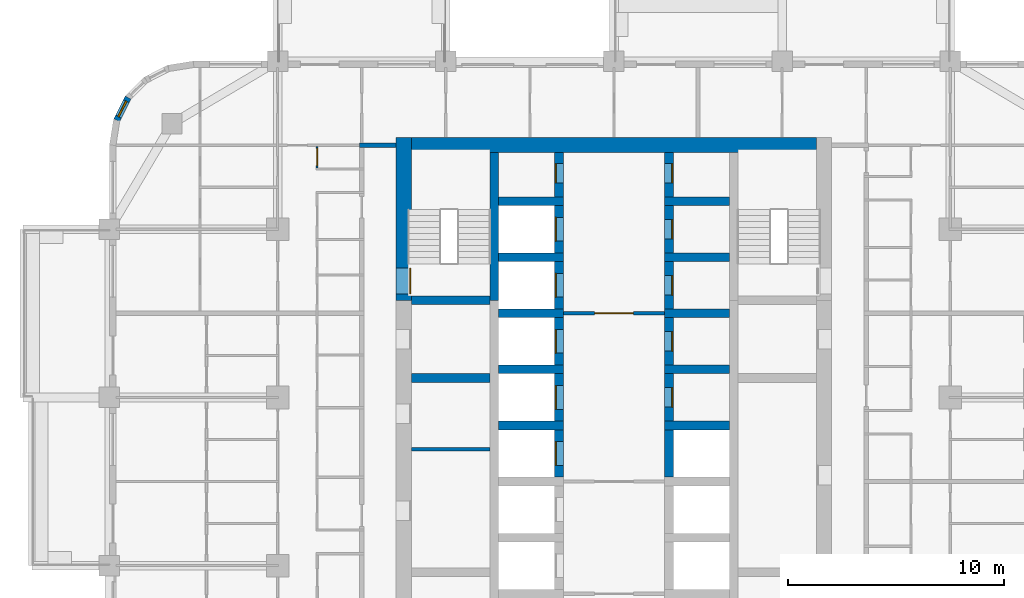
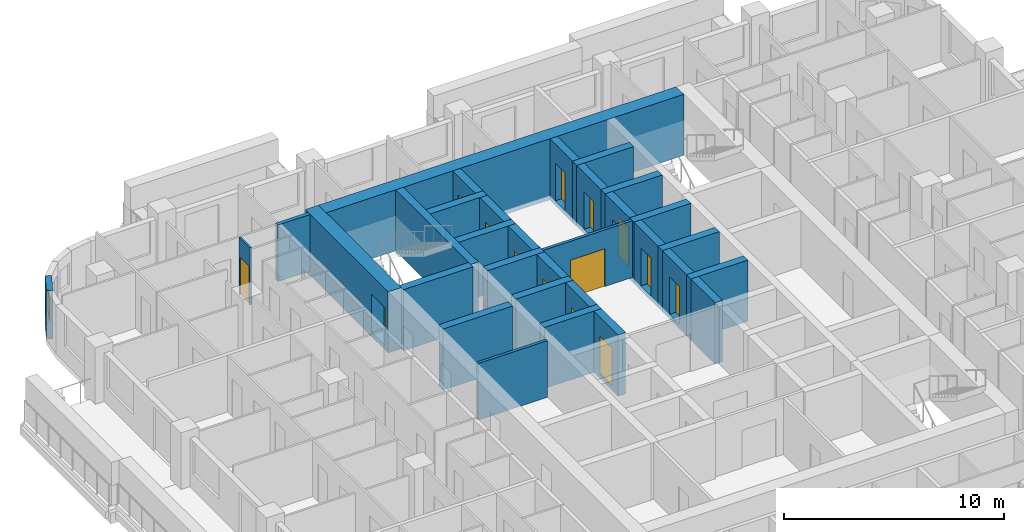
# One storey, part 11 of 18: 32 walls, 14 doors, 1 window, 15 openings.
"""IFC4 building model written with IfcOpenShell, lengths in metres."""

from ifc_helpers import new_model, si_unit, direction, frame, frame_2d, origin, place, context, subcontext, project, spatial, rectangle, extrude, material, layer, layer_set, type_object, element, fill, save


model = new_model("IFC4")

# Units and contexts
model_context = context("Model", 3, precision=1e-05, world=origin(), true_north=direction((0.0, 1.0)))
body_context = subcontext(model_context, "Body", "Model", "MODEL_VIEW")
ifc_project = project(units=[si_unit("LENGTHUNIT", "METRE"), si_unit("AREAUNIT", "SQUARE_METRE"), si_unit("VOLUMEUNIT", "CUBIC_METRE"), si_unit("PLANEANGLEUNIT", "RADIAN"), si_unit("MASSUNIT", "GRAM", prefix="KILO")], contexts=[model_context])

# Site, building, storey
site_placement = place(None, origin())
site = spatial("IfcSite", under=ifc_project, at=site_placement, CompositionType="ELEMENT")
building_placement = place(site_placement, origin())
building = spatial("IfcBuilding", under=site, at=building_placement, Name="Ludao Terraces", CompositionType="ELEMENT")
storey_placement = place(building_placement, frame((0.0, 0.0, 78.39990234375)))
storey = spatial("IfcBuildingStorey", under=building, at=storey_placement, Name="L21", CompositionType="ELEMENT", Elevation=78.39990234375)

# Wall, opening, door
ifc_material_1 = material(Name="Concrete C70", Category="concrete")
ifc_layer_1 = layer(ifc_material_1, 0.699951171875)
ifc_layer_set_1 = layer_set([ifc_layer_1], Name="Core wall 700 C70")
wall_type_1 = type_object("IfcWallType", Name="Core wall 700 C70", PredefinedType="SOLIDWALL", material=ifc_layer_set_1)
wall_1_placement = place(storey_placement, frame((75.25, 77.300048828125, -0.25), z_axis=(0.0, 0.0, 1.0), x_axis=(0.0, 1.0, 0.0)))
wall_1 = element("IfcWall", 1, at=wall_1_placement, inside=storey, type_object=wall_type_1, Name="Core wall L21 outer-W-S1", PredefinedType="SOLIDWALL", context=body_context, shape_type="SweptSolid", body=[
    extrude(rectangle(XDim=7.550048828125, YDim=0.699951171875, at=frame_2d((3.77490234375, 0.0))), origin(), (0.0, 0.0, 1.0), 3.400146484375),
])
opening_1_placement = place(wall_1_placement, frame((0.300048828125, 0.0, 0.25)))
opening_1 = element("IfcOpeningElement", 2, at=opening_1_placement, cuts=wall_1, Name="Opening R06-131", PredefinedType="OPENING", context=body_context, shape_type="SweptSolid", body=[
    extrude(rectangle(XDim=1.199951171875, YDim=2.10009765625, at=frame_2d((0.60009765625, 1.050048828125))), frame((0.0, 0.35986328125, 0.0), z_axis=(0.0, -1.0, 0.0), x_axis=(1.0, 0.0, 0.0)), (0.0, 0.0, 1.0), 0.719970703125),
])
ifc_material_2 = material(Name="Steel Q235", Category="steel")
door_type_1 = type_object("IfcDoorType", Name="INT Stair door 1200", OperationType="DOUBLE_DOOR_SINGLE_SWING", PredefinedType="DOOR", material=ifc_material_2)
door_1_placement = place(opening_1_placement, origin())
door_1 = element("IfcDoor", 3, at=door_1_placement, inside=storey, type_object=door_type_1, Name="DOOR 131", OperationType="DOUBLE_DOOR_SINGLE_SWING", OverallHeight=2.10009765625, OverallWidth=1.199951171875, PredefinedType="DOOR", context=body_context, shape_type="SweptSolid", body=[
    extrude(rectangle(XDim=1.199951171875, YDim=2.10009765625, at=frame_2d((0.60009765625, 1.050048828125))), frame((0.0, -0.28515625, 0.0), z_axis=(0.0, -1.0, 0.0), x_axis=(1.0, 0.0, 0.0)), (0.0, 0.0, 1.0), 0.050048828125),
])
fill(opening_1, door_1)

# Wall
wall_2_placement = place(storey_placement, frame((75.60009765625, 84.5, -0.25), z_axis=(0.0, 0.0, 1.0), x_axis=(1.0, 0.0, 0.0)))
element("IfcWall", 4, at=wall_2_placement, inside=storey, type_object=wall_type_1, Name="Core wall L21 outer-N", PredefinedType="SOLIDWALL", context=body_context, shape_type="SweptSolid", body=[
    extrude(rectangle(XDim=18.7998046875, YDim=0.699951171875, at=frame_2d((9.39990234375, 0.0))), origin(), (0.0, 0.0, 1.0), 3.400146484375),
])

# Wall, opening, window
ifc_material_3 = material(Name="Granite cladding", Category="masonry")
ifc_layer_2 = layer(ifc_material_3, 0.0400390625, Category="stone")
ifc_material_4 = material(Name="Mineral wool")
ifc_layer_3 = layer(ifc_material_4, 0.06005859375)
ifc_material_5 = material(Name="Concrete C40", Category="concrete")
ifc_layer_4 = layer(ifc_material_5, 0.199951171875, Category="concrete")
ifc_layer_set_2 = layer_set([ifc_layer_2, ifc_layer_3, ifc_layer_4], Name="ENV Stone-clad wall 300")
wall_type_2 = type_object("IfcWallType", Name="ENV Stone-clad wall 300", PredefinedType="SOLIDWALL", material=ifc_layer_set_2)
wall_3_placement = place(storey_placement, frame((62.46630859375, 86.7041015625, 0.0), z_axis=(0.0, 0.0, 1.0), x_axis=(-0.454025524128, -0.890988677504, 0.0)))
wall_3 = element("IfcWall", 5, at=wall_3_placement, inside=storey, type_object=wall_type_2, Name="EW-L21-NW4", PredefinedType="SOLIDWALL", context=body_context, shape_type="SweptSolid", body=[
    extrude(rectangle(XDim=1.17333984375, YDim=0.300048828125, at=frame_2d((0.586669921875, 0.0))), origin(), (0.0, 0.0, 1.0), 2.7001953125),
])
opening_2_placement = place(wall_3_placement, frame((0.1865234375, 0.0, 0.89990234375)))
opening_2 = element("IfcOpeningElement", 6, at=opening_2_placement, cuts=wall_3, Name="Opening W3", PredefinedType="OPENING", context=body_context, shape_type="SweptSolid", body=[
    extrude(rectangle(XDim=0.800048828125, YDim=1.199951171875, at=frame_2d((0.39990234375, 0.60009765625))), frame((0.0, 0.16015625, 0.0), z_axis=(0.0, -1.0, 0.0), x_axis=(1.0, 0.0, 0.0)), (0.0, 0.0, 1.0), 0.320068359375),
])
ifc_material_6 = material(Name="Clear glass in aluminium frame", Category="aluminium")
ifc_layer_5 = layer(ifc_material_6, 0.06005859375)
ifc_layer_set_3 = layer_set([ifc_layer_5], Name="ENV Window W3 800x1200")
window_type = type_object("IfcWindowType", Name="ENV Window W3 800x1200", PartitioningType="SINGLE_PANEL", PredefinedType="WINDOW", material=ifc_layer_set_3)
window_placement = place(opening_2_placement, origin())
window = element("IfcWindow", 7, at=window_placement, inside=storey, type_object=window_type, Name="W-L21-NW4", OverallHeight=1.199951171875, OverallWidth=0.800048828125, PartitioningType="SINGLE_PANEL", PredefinedType="WINDOW", context=body_context, shape_type="SweptSolid", body=[
    extrude(rectangle(XDim=0.800048828125, YDim=1.199951171875, at=frame_2d((0.39990234375, 0.60009765625))), frame((0.0, 0.030029296875, 0.0), z_axis=(0.0, -1.0, 0.0), x_axis=(1.0, 0.0, 0.0)), (0.0, 0.0, 1.0), 0.06005859375),
])
fill(opening_2, window)

# Wall
ifc_material_7 = material(Name="Fire-rated gypsum plasterboard", Category="gypsum")
ifc_layer_6 = layer(ifc_material_7, 0.012451171875, Category="gypsum")
ifc_layer_7 = layer(ifc_material_4, 0.10009765625, Name="insulation")
ifc_layer_8 = layer(ifc_material_2, 0.02490234375, Name="stud")
ifc_layer_9 = layer(ifc_material_7, 0.012451171875, Category="gypsum")
ifc_layer_set_4 = layer_set([ifc_layer_6, ifc_layer_7, ifc_layer_8, ifc_layer_9], Name="INT Core partition 150")
wall_type_3 = type_object("IfcWallType", Name="INT Core partition 150", PredefinedType="PARTITIONING", material=ifc_layer_set_4)
wall_4_placement = place(storey_placement, frame((75.60009765625, 70.39990234375, 0.0), z_axis=(0.0, 0.0, 1.0), x_axis=(1.0, 0.0, 0.0)))
element("IfcWall", 8, at=wall_4_placement, inside=storey, type_object=wall_type_3, Name="PW-L21-PW051", PredefinedType="PARTITIONING", context=body_context, shape_type="SweptSolid", body=[
    extrude(rectangle(XDim=3.64990234375, YDim=0.14990234375, at=frame_2d((1.824951171875, 0.0))), origin(), (0.0, 0.0, 1.0), 3.150146484375),
])

# Wall, opening, door
wall_5_placement = place(storey_placement, frame((82.650146484375, 76.699951171875, 0.0), z_axis=(0.0, 0.0, 1.0), x_axis=(1.0, 0.0, 0.0)))
wall_5 = element("IfcWall", 9, at=wall_5_placement, inside=storey, type_object=wall_type_3, Name="PW-L21-PW063", PredefinedType="PARTITIONING", context=body_context, shape_type="SweptSolid", body=[
    extrude(rectangle(XDim=4.699951171875, YDim=0.14990234375, at=frame_2d((2.35009765625, 0.0))), origin(), (0.0, 0.0, 1.0), 3.150146484375),
])
opening_3_placement = place(wall_5_placement, frame((1.449951171875, 0.0, 0.0)))
opening_3 = element("IfcOpeningElement", 10, at=opening_3_placement, cuts=wall_5, Name="Opening R06-126", PredefinedType="OPENING", context=body_context, shape_type="SweptSolid", body=[
    extrude(rectangle(XDim=1.800048828125, YDim=2.10009765625, at=frame_2d((0.89990234375, 1.050048828125))), frame((0.0, 0.0849609375, 0.0), z_axis=(0.0, -1.0, 0.0), x_axis=(1.0, 0.0, 0.0)), (0.0, 0.0, 1.0), 0.169921875),
])
door_type_2 = type_object("IfcDoorType", Name="INT Fire lobby door 1800", OperationType="DOUBLE_DOOR_SINGLE_SWING", PredefinedType="DOOR", material=ifc_material_2)
door_2_placement = place(opening_3_placement, origin())
door_2 = element("IfcDoor", 11, at=door_2_placement, inside=storey, type_object=door_type_2, Name="DOOR 126", OperationType="DOUBLE_DOOR_SINGLE_SWING", OverallHeight=2.10009765625, OverallWidth=1.800048828125, PredefinedType="DOOR", context=body_context, shape_type="SweptSolid", body=[
    extrude(rectangle(XDim=1.800048828125, YDim=2.10009765625, at=frame_2d((0.89990234375, 1.050048828125))), frame((0.0, 0.02490234375, 0.0), z_axis=(0.0, -1.0, 0.0), x_axis=(1.0, 0.0, 0.0)), (0.0, 0.0, 1.0), 0.050048828125),
])
fill(opening_3, door_2)

# Wall
ifc_material_8 = material(Name="Autoclaved aerated concrete block B06 A3.5", Category="concrete")
ifc_layer_10 = layer(ifc_material_8, 0.199951171875)
ifc_layer_set_5 = layer_set([ifc_layer_10], Name="INT Entrance wall 200")
wall_type_4 = type_object("IfcWallType", Name="INT Entrance wall 200", PredefinedType="PARTITIONING", material=ifc_layer_set_5)
wall_6_placement = place(storey_placement, frame((73.2001953125, 84.5, 0.0), z_axis=(0.0, 0.0, 1.0), x_axis=(1.0, 0.0, 0.0)))
element("IfcWall", 12, at=wall_6_placement, inside=storey, type_object=wall_type_4, Name="PW-L21-PW078", PredefinedType="PARTITIONING", context=body_context, shape_type="SweptSolid", body=[
    extrude(rectangle(XDim=1.699951171875, YDim=0.199951171875, at=frame_2d((0.85009765625, 0.0))), origin(), (0.0, 0.0, 1.0), 3.150146484375),
])

# Wall, opening, door
ifc_material_9 = material(Name="Gypsum plasterboard", Category="gypsum")
ifc_layer_11 = layer(ifc_material_9, 0.012451171875, Category="gypsum")
ifc_layer_12 = layer(ifc_material_4, 0.06005859375, Name="insulation")
ifc_layer_13 = layer(ifc_material_2, 0.014892578125, Name="stud")
ifc_layer_14 = layer(ifc_material_9, 0.012451171875, Category="gypsum")
ifc_layer_set_6 = layer_set([ifc_layer_11, ifc_layer_12, ifc_layer_13, ifc_layer_14], Name="INT Partition 100")
wall_type_5 = type_object("IfcWallType", Name="INT Partition 100", PredefinedType="PARTITIONING", material=ifc_layer_set_6)
wall_7_placement = place(storey_placement, frame((71.22998046875, 83.4501953125, 0.0), z_axis=(0.0, 0.0, 1.0), x_axis=(0.0, 1.0, 0.0)))
wall_7 = element("IfcWall", 13, at=wall_7_placement, inside=storey, type_object=wall_type_5, Name="PW-L21-PW087", PredefinedType="PARTITIONING", context=body_context, shape_type="SweptSolid", body=[
    extrude(rectangle(XDim=1.0, YDim=0.10009765625, at=frame_2d((0.5, 0.0))), origin(), (0.0, 0.0, 1.0), 3.150146484375),
])
opening_4_placement = place(wall_7_placement, frame((0.10009765625, 0.0, 0.0)))
opening_4 = element("IfcOpeningElement", 14, at=opening_4_placement, cuts=wall_7, Name="Opening R06-154", PredefinedType="OPENING", context=body_context, shape_type="SweptSolid", body=[
    extrude(rectangle(XDim=0.800048828125, YDim=2.10009765625, at=frame_2d((0.39990234375, 1.050048828125))), frame((0.0, 0.06005859375, 0.0), z_axis=(0.0, -1.0, 0.0), x_axis=(1.0, 0.0, 0.0)), (0.0, 0.0, 1.0), 0.1201171875),
])
ifc_material_10 = material(Name="Timber door leaf", Category="wood")
door_type_3 = type_object("IfcDoorType", Name="INT Store door 800", OperationType="SINGLE_SWING_LEFT", PredefinedType="DOOR", material=ifc_material_10)
door_3_placement = place(opening_4_placement, origin())
door_3 = element("IfcDoor", 15, at=door_3_placement, inside=storey, type_object=door_type_3, Name="DOOR 154", OperationType="SINGLE_SWING_RIGHT", OverallHeight=2.10009765625, OverallWidth=0.800048828125, PredefinedType="DOOR", context=body_context, shape_type="SweptSolid", body=[
    extrude(rectangle(XDim=0.800048828125, YDim=2.10009765625, at=frame_2d((0.39990234375, 1.050048828125))), frame((0.0, 0.02490234375, 0.0), z_axis=(0.0, -1.0, 0.0), x_axis=(1.0, 0.0, 0.0)), (0.0, 0.0, 1.0), 0.050048828125),
])
fill(opening_4, door_3)

# Wall
ifc_material_11 = material(Name="Concrete C60", Category="concrete")
ifc_layer_15 = layer(ifc_material_11, 0.39990234375)
ifc_layer_set_7 = layer_set([ifc_layer_15], Name="Shaft wall 400 C60")
wall_type_6 = type_object("IfcWallType", Name="Shaft wall 400 C60", PredefinedType="SOLIDWALL", material=ifc_layer_set_7)
wall_8_placement = place(storey_placement, frame((79.449951171875, 77.300048828125, -0.25), z_axis=(0.0, 0.0, 1.0), x_axis=(0.0, 1.0, 0.0)))
element("IfcWall", 16, at=wall_8_placement, inside=storey, type_object=wall_type_6, Name="Core wall L21 back-W-S1", PredefinedType="SOLIDWALL", context=body_context, shape_type="SweptSolid", body=[
    extrude(rectangle(XDim=6.849853515625, YDim=0.39990234375, at=frame_2d((3.4248046875, 0.0))), origin(), (0.0, 0.0, 1.0), 3.400146484375),
])

# Wall, opening, door
wall_9_placement = place(storey_placement, frame((82.449951171875, 69.10009765625, -0.25), z_axis=(0.0, 0.0, 1.0), x_axis=(0.0, 1.0, 0.0)))
wall_9 = element("IfcWall", 17, at=wall_9_placement, inside=storey, type_object=wall_type_6, Name="Core wall L21 front-W4", PredefinedType="SOLIDWALL", context=body_context, shape_type="SweptSolid", body=[
    extrude(rectangle(XDim=2.199951171875, YDim=0.39990234375, at=frame_2d((1.10009765625, 0.0))), origin(), (0.0, 0.0, 1.0), 3.400146484375),
])
opening_5_placement = place(wall_9_placement, frame((0.550048828125, 0.0, 0.25)))
opening_5 = element("IfcOpeningElement", 18, at=opening_5_placement, cuts=wall_9, Name="Opening LD-LA4", PredefinedType="OPENING", context=body_context, shape_type="SweptSolid", body=[
    extrude(rectangle(XDim=1.10009765625, YDim=2.10009765625, at=frame_2d((0.550048828125, 1.050048828125))), frame((0.0, 0.2099609375, 0.0), z_axis=(0.0, -1.0, 0.0), x_axis=(1.0, 0.0, 0.0)), (0.0, 0.0, 1.0), 0.419921875),
])
ifc_material_12 = material(Name="Stainless steel 304", Category="steel")
door_type_4 = type_object("IfcDoorType", Name="INT Lift landing door 1100", OperationType="SLIDING_TO_LEFT", PredefinedType="DOOR", material=ifc_material_12)
door_4_placement = place(opening_5_placement, origin())
door_4 = element("IfcDoor", 19, at=door_4_placement, inside=storey, type_object=door_type_4, Name="LANDING DOOR LA4 L21", OperationType="SLIDING_TO_LEFT", OverallHeight=2.10009765625, OverallWidth=1.10009765625, PredefinedType="DOOR", context=body_context, shape_type="SweptSolid", body=[
    extrude(rectangle(XDim=1.10009765625, YDim=2.10009765625, at=frame_2d((0.550048828125, 1.050048828125))), frame((0.0, 0.18505859375, 0.0), z_axis=(0.0, -1.0, 0.0), x_axis=(1.0, 0.0, 0.0)), (0.0, 0.0, 1.0), 0.050048828125),
])
fill(opening_5, door_4)

# Wall
wall_10_placement = place(storey_placement, frame((79.64990234375, 71.5, -0.25), z_axis=(0.0, 0.0, 1.0), x_axis=(1.0, 0.0, 0.0)))
element("IfcWall", 20, at=wall_10_placement, inside=storey, type_object=wall_type_6, Name="Core wall L21 div-W5", PredefinedType="SOLIDWALL", context=body_context, shape_type="SweptSolid", body=[
    extrude(rectangle(XDim=3.0, YDim=0.39990234375, at=frame_2d((1.5, 0.0))), origin(), (0.0, 0.0, 1.0), 3.400146484375),
])

# Wall, opening, door
wall_11_placement = place(storey_placement, frame((82.449951171875, 71.699951171875, -0.25), z_axis=(0.0, 0.0, 1.0), x_axis=(0.0, 1.0, 0.0)))
wall_11 = element("IfcWall", 21, at=wall_11_placement, inside=storey, type_object=wall_type_6, Name="Core wall L21 front-W5", PredefinedType="SOLIDWALL", context=body_context, shape_type="SweptSolid", body=[
    extrude(rectangle(XDim=2.199951171875, YDim=0.39990234375, at=frame_2d((1.10009765625, 0.0))), origin(), (0.0, 0.0, 1.0), 3.400146484375),
])
opening_6_placement = place(wall_11_placement, frame((0.550048828125, 0.0, 0.25)))
opening_6 = element("IfcOpeningElement", 22, at=opening_6_placement, cuts=wall_11, Name="Opening LD-LA5", PredefinedType="OPENING", context=body_context, shape_type="SweptSolid", body=[
    extrude(rectangle(XDim=1.10009765625, YDim=2.10009765625, at=frame_2d((0.550048828125, 1.050048828125))), frame((0.0, 0.2099609375, 0.0), z_axis=(0.0, -1.0, 0.0), x_axis=(1.0, 0.0, 0.0)), (0.0, 0.0, 1.0), 0.419921875),
])
door_5_placement = place(opening_6_placement, origin())
door_5 = element("IfcDoor", 23, at=door_5_placement, inside=storey, type_object=door_type_4, Name="LANDING DOOR LA5 L21", OperationType="SLIDING_TO_LEFT", OverallHeight=2.10009765625, OverallWidth=1.10009765625, PredefinedType="DOOR", context=body_context, shape_type="SweptSolid", body=[
    extrude(rectangle(XDim=1.10009765625, YDim=2.10009765625, at=frame_2d((0.550048828125, 1.050048828125))), frame((0.0, 0.18505859375, 0.0), z_axis=(0.0, -1.0, 0.0), x_axis=(1.0, 0.0, 0.0)), (0.0, 0.0, 1.0), 0.050048828125),
])
fill(opening_6, door_5)

# Wall
wall_12_placement = place(storey_placement, frame((79.64990234375, 74.10009765625, -0.25), z_axis=(0.0, 0.0, 1.0), x_axis=(1.0, 0.0, 0.0)))
element("IfcWall", 24, at=wall_12_placement, inside=storey, type_object=wall_type_6, Name="Core wall L21 div-W6", PredefinedType="SOLIDWALL", context=body_context, shape_type="SweptSolid", body=[
    extrude(rectangle(XDim=3.0, YDim=0.39990234375, at=frame_2d((1.5, 0.0))), origin(), (0.0, 0.0, 1.0), 3.400146484375),
])

# Wall, opening, door
wall_13_placement = place(storey_placement, frame((82.449951171875, 74.300048828125, -0.25), z_axis=(0.0, 0.0, 1.0), x_axis=(0.0, 1.0, 0.0)))
wall_13 = element("IfcWall", 25, at=wall_13_placement, inside=storey, type_object=wall_type_6, Name="Core wall L21 front-W6", PredefinedType="SOLIDWALL", context=body_context, shape_type="SweptSolid", body=[
    extrude(rectangle(XDim=2.199951171875, YDim=0.39990234375, at=frame_2d((1.10009765625, 0.0))), origin(), (0.0, 0.0, 1.0), 3.400146484375),
])
opening_7_placement = place(wall_13_placement, frame((0.550048828125, 0.0, 0.25)))
opening_7 = element("IfcOpeningElement", 26, at=opening_7_placement, cuts=wall_13, Name="Opening LD-LA6", PredefinedType="OPENING", context=body_context, shape_type="SweptSolid", body=[
    extrude(rectangle(XDim=1.10009765625, YDim=2.10009765625, at=frame_2d((0.550048828125, 1.050048828125))), frame((0.0, 0.2099609375, 0.0), z_axis=(0.0, -1.0, 0.0), x_axis=(1.0, 0.0, 0.0)), (0.0, 0.0, 1.0), 0.419921875),
])
door_6_placement = place(opening_7_placement, origin())
door_6 = element("IfcDoor", 27, at=door_6_placement, inside=storey, type_object=door_type_4, Name="LANDING DOOR LA6 L21", OperationType="SLIDING_TO_LEFT", OverallHeight=2.10009765625, OverallWidth=1.10009765625, PredefinedType="DOOR", context=body_context, shape_type="SweptSolid", body=[
    extrude(rectangle(XDim=1.10009765625, YDim=2.10009765625, at=frame_2d((0.550048828125, 1.050048828125))), frame((0.0, 0.18505859375, 0.0), z_axis=(0.0, -1.0, 0.0), x_axis=(1.0, 0.0, 0.0)), (0.0, 0.0, 1.0), 0.050048828125),
])
fill(opening_7, door_6)

# Wall
wall_14_placement = place(storey_placement, frame((79.64990234375, 76.699951171875, -0.25), z_axis=(0.0, 0.0, 1.0), x_axis=(1.0, 0.0, 0.0)))
element("IfcWall", 28, at=wall_14_placement, inside=storey, type_object=wall_type_6, Name="Core wall L21 div-W7", PredefinedType="SOLIDWALL", context=body_context, shape_type="SweptSolid", body=[
    extrude(rectangle(XDim=3.0, YDim=0.39990234375, at=frame_2d((1.5, 0.0))), origin(), (0.0, 0.0, 1.0), 3.400146484375),
])

# Wall, opening, door
wall_15_placement = place(storey_placement, frame((82.449951171875, 76.89990234375, -0.25), z_axis=(0.0, 0.0, 1.0), x_axis=(0.0, 1.0, 0.0)))
wall_15 = element("IfcWall", 29, at=wall_15_placement, inside=storey, type_object=wall_type_6, Name="Core wall L21 front-W7", PredefinedType="SOLIDWALL", context=body_context, shape_type="SweptSolid", body=[
    extrude(rectangle(XDim=2.2001953125, YDim=0.39990234375, at=frame_2d((1.10009765625, 0.0))), origin(), (0.0, 0.0, 1.0), 3.400146484375),
])
opening_8_placement = place(wall_15_placement, frame((0.550048828125, 0.0, 0.25)))
opening_8 = element("IfcOpeningElement", 30, at=opening_8_placement, cuts=wall_15, Name="Opening LD-FF1", PredefinedType="OPENING", context=body_context, shape_type="SweptSolid", body=[
    extrude(rectangle(XDim=1.10009765625, YDim=2.10009765625, at=frame_2d((0.550048828125, 1.050048828125))), frame((0.0, 0.2099609375, 0.0), z_axis=(0.0, -1.0, 0.0), x_axis=(1.0, 0.0, 0.0)), (0.0, 0.0, 1.0), 0.419921875),
])
door_7_placement = place(opening_8_placement, origin())
door_7 = element("IfcDoor", 31, at=door_7_placement, inside=storey, type_object=door_type_4, Name="LANDING DOOR FF1 L21", OperationType="SLIDING_TO_LEFT", OverallHeight=2.10009765625, OverallWidth=1.10009765625, PredefinedType="DOOR", context=body_context, shape_type="SweptSolid", body=[
    extrude(rectangle(XDim=1.10009765625, YDim=2.10009765625, at=frame_2d((0.550048828125, 1.050048828125))), frame((0.0, 0.18505859375, 0.0), z_axis=(0.0, -1.0, 0.0), x_axis=(1.0, 0.0, 0.0)), (0.0, 0.0, 1.0), 0.050048828125),
])
fill(opening_8, door_7)

# Wall
wall_16_placement = place(storey_placement, frame((79.64990234375, 79.300048828125, -0.25), z_axis=(0.0, 0.0, 1.0), x_axis=(1.0, 0.0, 0.0)))
element("IfcWall", 32, at=wall_16_placement, inside=storey, type_object=wall_type_6, Name="Core wall L21 div-W8", PredefinedType="SOLIDWALL", context=body_context, shape_type="SweptSolid", body=[
    extrude(rectangle(XDim=3.0, YDim=0.39990234375, at=frame_2d((1.5, 0.0))), origin(), (0.0, 0.0, 1.0), 3.400146484375),
])

# Wall, opening, door
wall_17_placement = place(storey_placement, frame((82.449951171875, 79.5, -0.25), z_axis=(0.0, 0.0, 1.0), x_axis=(0.0, 1.0, 0.0)))
wall_17 = element("IfcWall", 33, at=wall_17_placement, inside=storey, type_object=wall_type_6, Name="Core wall L21 front-W8", PredefinedType="SOLIDWALL", context=body_context, shape_type="SweptSolid", body=[
    extrude(rectangle(XDim=2.199951171875, YDim=0.39990234375, at=frame_2d((1.10009765625, 0.0))), origin(), (0.0, 0.0, 1.0), 3.400146484375),
])
opening_9_placement = place(wall_17_placement, frame((0.550048828125, 0.0, 0.25)))
opening_9 = element("IfcOpeningElement", 34, at=opening_9_placement, cuts=wall_17, Name="Opening LD-FF2", PredefinedType="OPENING", context=body_context, shape_type="SweptSolid", body=[
    extrude(rectangle(XDim=1.10009765625, YDim=2.10009765625, at=frame_2d((0.550048828125, 1.050048828125))), frame((0.0, 0.2099609375, 0.0), z_axis=(0.0, -1.0, 0.0), x_axis=(1.0, 0.0, 0.0)), (0.0, 0.0, 1.0), 0.419921875),
])
door_8_placement = place(opening_9_placement, origin())
door_8 = element("IfcDoor", 35, at=door_8_placement, inside=storey, type_object=door_type_4, Name="LANDING DOOR FF2 L21", OperationType="SLIDING_TO_LEFT", OverallHeight=2.10009765625, OverallWidth=1.10009765625, PredefinedType="DOOR", context=body_context, shape_type="SweptSolid", body=[
    extrude(rectangle(XDim=1.10009765625, YDim=2.10009765625, at=frame_2d((0.550048828125, 1.050048828125))), frame((0.0, 0.18505859375, 0.0), z_axis=(0.0, -1.0, 0.0), x_axis=(1.0, 0.0, 0.0)), (0.0, 0.0, 1.0), 0.050048828125),
])
fill(opening_9, door_8)

# Wall
wall_18_placement = place(storey_placement, frame((79.64990234375, 81.89990234375, -0.25), z_axis=(0.0, 0.0, 1.0), x_axis=(1.0, 0.0, 0.0)))
element("IfcWall", 36, at=wall_18_placement, inside=storey, type_object=wall_type_6, Name="Core wall L21 div-W9", PredefinedType="SOLIDWALL", context=body_context, shape_type="SweptSolid", body=[
    extrude(rectangle(XDim=3.0, YDim=0.39990234375, at=frame_2d((1.5, 0.0))), origin(), (0.0, 0.0, 1.0), 3.400146484375),
])

# Wall, opening, door
wall_19_placement = place(storey_placement, frame((82.449951171875, 82.10009765625, -0.25), z_axis=(0.0, 0.0, 1.0), x_axis=(0.0, 1.0, 0.0)))
wall_19 = element("IfcWall", 37, at=wall_19_placement, inside=storey, type_object=wall_type_6, Name="Core wall L21 front-W9", PredefinedType="SOLIDWALL", context=body_context, shape_type="SweptSolid", body=[
    extrude(rectangle(XDim=2.0498046875, YDim=0.39990234375, at=frame_2d((1.02490234375, 0.0))), origin(), (0.0, 0.0, 1.0), 3.400146484375),
])
opening_10_placement = place(wall_19_placement, frame((0.64990234375, 0.0, 0.25)))
opening_10 = element("IfcOpeningElement", 38, at=opening_10_placement, cuts=wall_19, Name="Opening R06-146", PredefinedType="OPENING", context=body_context, shape_type="SweptSolid", body=[
    extrude(rectangle(XDim=0.89990234375, YDim=2.10009765625, at=frame_2d((0.449951171875, 1.050048828125))), frame((0.0, 0.2099609375, 0.0), z_axis=(0.0, -1.0, 0.0), x_axis=(1.0, 0.0, 0.0)), (0.0, 0.0, 1.0), 0.419921875),
])
door_type_5 = type_object("IfcDoorType", Name="INT Room door 900", OperationType="SINGLE_SWING_LEFT", PredefinedType="DOOR", material=ifc_material_10)
door_9_placement = place(opening_10_placement, origin())
door_9 = element("IfcDoor", 39, at=door_9_placement, inside=storey, type_object=door_type_5, Name="DOOR 146", OperationType="SINGLE_SWING_RIGHT", OverallHeight=2.10009765625, OverallWidth=0.89990234375, PredefinedType="DOOR", context=body_context, shape_type="SweptSolid", body=[
    extrude(rectangle(XDim=0.89990234375, YDim=2.10009765625, at=frame_2d((0.449951171875, 1.050048828125))), frame((0.0, 0.18505859375, 0.0), z_axis=(0.0, -1.0, 0.0), x_axis=(1.0, 0.0, 0.0)), (0.0, 0.0, 1.0), 0.050048828125),
])
fill(opening_10, door_9)

# Walls
wall_20_placement = place(storey_placement, frame((87.550048828125, 69.10009765625, -0.25), z_axis=(0.0, 0.0, 1.0), x_axis=(0.0, 1.0, 0.0)))
element("IfcWall", 40, at=wall_20_placement, inside=storey, type_object=wall_type_6, Name="Core wall L21 front-E4", PredefinedType="SOLIDWALL", context=body_context, shape_type="SweptSolid", body=[
    extrude(rectangle(XDim=2.199951171875, YDim=0.39990234375, at=frame_2d((1.10009765625, 0.0))), origin(), (0.0, 0.0, 1.0), 3.400146484375),
])
wall_21_placement = place(storey_placement, frame((87.35009765625, 71.5, -0.25), z_axis=(0.0, 0.0, 1.0), x_axis=(1.0, 0.0, 0.0)))
element("IfcWall", 41, at=wall_21_placement, inside=storey, type_object=wall_type_6, Name="Core wall L21 div-E5", PredefinedType="SOLIDWALL", context=body_context, shape_type="SweptSolid", body=[
    extrude(rectangle(XDim=3.0, YDim=0.39990234375, at=frame_2d((1.5, 0.0))), origin(), (0.0, 0.0, 1.0), 3.400146484375),
])

# Wall, opening, door
wall_22_placement = place(storey_placement, frame((87.550048828125, 71.699951171875, -0.25), z_axis=(0.0, 0.0, 1.0), x_axis=(0.0, 1.0, 0.0)))
wall_22 = element("IfcWall", 42, at=wall_22_placement, inside=storey, type_object=wall_type_6, Name="Core wall L21 front-E5", PredefinedType="SOLIDWALL", context=body_context, shape_type="SweptSolid", body=[
    extrude(rectangle(XDim=2.199951171875, YDim=0.39990234375, at=frame_2d((1.10009765625, 0.0))), origin(), (0.0, 0.0, 1.0), 3.400146484375),
])
opening_11_placement = place(wall_22_placement, frame((0.64990234375, 0.0, 0.25)))
opening_11 = element("IfcOpeningElement", 43, at=opening_11_placement, cuts=wall_22, Name="Opening R06-111", PredefinedType="OPENING", context=body_context, shape_type="SweptSolid", body=[
    extrude(rectangle(XDim=0.89990234375, YDim=2.10009765625, at=frame_2d((0.449951171875, 1.050048828125))), frame((0.0, 0.2099609375, 0.0), z_axis=(0.0, -1.0, 0.0), x_axis=(1.0, 0.0, 0.0)), (0.0, 0.0, 1.0), 0.419921875),
])
door_10_placement = place(opening_11_placement, origin())
door_10 = element("IfcDoor", 44, at=door_10_placement, inside=storey, type_object=door_type_5, Name="DOOR 111", OperationType="SINGLE_SWING_RIGHT", OverallHeight=2.10009765625, OverallWidth=0.89990234375, PredefinedType="DOOR", context=body_context, shape_type="SweptSolid", body=[
    extrude(rectangle(XDim=0.89990234375, YDim=2.10009765625, at=frame_2d((0.449951171875, 1.050048828125))), frame((0.0, -0.134765625, 0.0), z_axis=(0.0, -1.0, 0.0), x_axis=(1.0, 0.0, 0.0)), (0.0, 0.0, 1.0), 0.050048828125),
])
fill(opening_11, door_10)

# Wall
wall_23_placement = place(storey_placement, frame((87.35009765625, 74.10009765625, -0.25), z_axis=(0.0, 0.0, 1.0), x_axis=(1.0, 0.0, 0.0)))
element("IfcWall", 45, at=wall_23_placement, inside=storey, type_object=wall_type_6, Name="Core wall L21 div-E6", PredefinedType="SOLIDWALL", context=body_context, shape_type="SweptSolid", body=[
    extrude(rectangle(XDim=3.0, YDim=0.39990234375, at=frame_2d((1.5, 0.0))), origin(), (0.0, 0.0, 1.0), 3.400146484375),
])

# Wall, opening, door
wall_24_placement = place(storey_placement, frame((87.550048828125, 74.300048828125, -0.25), z_axis=(0.0, 0.0, 1.0), x_axis=(0.0, 1.0, 0.0)))
wall_24 = element("IfcWall", 46, at=wall_24_placement, inside=storey, type_object=wall_type_6, Name="Core wall L21 front-E6", PredefinedType="SOLIDWALL", context=body_context, shape_type="SweptSolid", body=[
    extrude(rectangle(XDim=2.199951171875, YDim=0.39990234375, at=frame_2d((1.10009765625, 0.0))), origin(), (0.0, 0.0, 1.0), 3.400146484375),
])
opening_12_placement = place(wall_24_placement, frame((0.64990234375, 0.0, 0.25)))
opening_12 = element("IfcOpeningElement", 47, at=opening_12_placement, cuts=wall_24, Name="Opening R06-119", PredefinedType="OPENING", context=body_context, shape_type="SweptSolid", body=[
    extrude(rectangle(XDim=0.89990234375, YDim=2.10009765625, at=frame_2d((0.449951171875, 1.050048828125))), frame((0.0, 0.2099609375, 0.0), z_axis=(0.0, -1.0, 0.0), x_axis=(1.0, 0.0, 0.0)), (0.0, 0.0, 1.0), 0.419921875),
])
door_11_placement = place(opening_12_placement, origin())
door_11 = element("IfcDoor", 48, at=door_11_placement, inside=storey, type_object=door_type_5, Name="DOOR 119", OperationType="SINGLE_SWING_LEFT", OverallHeight=2.10009765625, OverallWidth=0.89990234375, PredefinedType="DOOR", context=body_context, shape_type="SweptSolid", body=[
    extrude(rectangle(XDim=0.89990234375, YDim=2.10009765625, at=frame_2d((0.449951171875, 1.050048828125))), frame((0.0, -0.134765625, 0.0), z_axis=(0.0, -1.0, 0.0), x_axis=(1.0, 0.0, 0.0)), (0.0, 0.0, 1.0), 0.050048828125),
])
fill(opening_12, door_11)

# Wall
wall_25_placement = place(storey_placement, frame((87.35009765625, 76.699951171875, -0.25), z_axis=(0.0, 0.0, 1.0), x_axis=(1.0, 0.0, 0.0)))
element("IfcWall", 49, at=wall_25_placement, inside=storey, type_object=wall_type_6, Name="Core wall L21 div-E7", PredefinedType="SOLIDWALL", context=body_context, shape_type="SweptSolid", body=[
    extrude(rectangle(XDim=3.0, YDim=0.39990234375, at=frame_2d((1.5, 0.0))), origin(), (0.0, 0.0, 1.0), 3.400146484375),
])

# Wall, opening, door
wall_26_placement = place(storey_placement, frame((87.550048828125, 76.89990234375, -0.25), z_axis=(0.0, 0.0, 1.0), x_axis=(0.0, 1.0, 0.0)))
wall_26 = element("IfcWall", 50, at=wall_26_placement, inside=storey, type_object=wall_type_6, Name="Core wall L21 front-E7", PredefinedType="SOLIDWALL", context=body_context, shape_type="SweptSolid", body=[
    extrude(rectangle(XDim=2.2001953125, YDim=0.39990234375, at=frame_2d((1.10009765625, 0.0))), origin(), (0.0, 0.0, 1.0), 3.400146484375),
])
opening_13_placement = place(wall_26_placement, frame((0.64990234375, 0.0, 0.25)))
opening_13 = element("IfcOpeningElement", 51, at=opening_13_placement, cuts=wall_26, Name="Opening R06-130", PredefinedType="OPENING", context=body_context, shape_type="SweptSolid", body=[
    extrude(rectangle(XDim=0.89990234375, YDim=2.10009765625, at=frame_2d((0.449951171875, 1.050048828125))), frame((0.0, 0.2099609375, 0.0), z_axis=(0.0, -1.0, 0.0), x_axis=(1.0, 0.0, 0.0)), (0.0, 0.0, 1.0), 0.419921875),
])
door_12_placement = place(opening_13_placement, origin())
door_12 = element("IfcDoor", 52, at=door_12_placement, inside=storey, type_object=door_type_5, Name="DOOR 130", OperationType="SINGLE_SWING_RIGHT", OverallHeight=2.10009765625, OverallWidth=0.89990234375, PredefinedType="DOOR", context=body_context, shape_type="SweptSolid", body=[
    extrude(rectangle(XDim=0.89990234375, YDim=2.10009765625, at=frame_2d((0.449951171875, 1.050048828125))), frame((0.0, -0.134765625, 0.0), z_axis=(0.0, -1.0, 0.0), x_axis=(1.0, 0.0, 0.0)), (0.0, 0.0, 1.0), 0.050048828125),
])
fill(opening_13, door_12)

# Wall
wall_27_placement = place(storey_placement, frame((87.35009765625, 79.300048828125, -0.25), z_axis=(0.0, 0.0, 1.0), x_axis=(1.0, 0.0, 0.0)))
element("IfcWall", 53, at=wall_27_placement, inside=storey, type_object=wall_type_6, Name="Core wall L21 div-E8", PredefinedType="SOLIDWALL", context=body_context, shape_type="SweptSolid", body=[
    extrude(rectangle(XDim=3.0, YDim=0.39990234375, at=frame_2d((1.5, 0.0))), origin(), (0.0, 0.0, 1.0), 3.400146484375),
])

# Wall, opening, door
wall_28_placement = place(storey_placement, frame((87.550048828125, 79.5, -0.25), z_axis=(0.0, 0.0, 1.0), x_axis=(0.0, 1.0, 0.0)))
wall_28 = element("IfcWall", 54, at=wall_28_placement, inside=storey, type_object=wall_type_6, Name="Core wall L21 front-E8", PredefinedType="SOLIDWALL", context=body_context, shape_type="SweptSolid", body=[
    extrude(rectangle(XDim=2.199951171875, YDim=0.39990234375, at=frame_2d((1.10009765625, 0.0))), origin(), (0.0, 0.0, 1.0), 3.400146484375),
])
opening_14_placement = place(wall_28_placement, frame((0.64990234375, 0.0, 0.25)))
opening_14 = element("IfcOpeningElement", 55, at=opening_14_placement, cuts=wall_28, Name="Opening R06-140", PredefinedType="OPENING", context=body_context, shape_type="SweptSolid", body=[
    extrude(rectangle(XDim=0.89990234375, YDim=2.10009765625, at=frame_2d((0.449951171875, 1.050048828125))), frame((0.0, 0.2099609375, 0.0), z_axis=(0.0, -1.0, 0.0), x_axis=(1.0, 0.0, 0.0)), (0.0, 0.0, 1.0), 0.419921875),
])
door_13_placement = place(opening_14_placement, origin())
door_13 = element("IfcDoor", 56, at=door_13_placement, inside=storey, type_object=door_type_5, Name="DOOR 140", OperationType="SINGLE_SWING_RIGHT", OverallHeight=2.10009765625, OverallWidth=0.89990234375, PredefinedType="DOOR", context=body_context, shape_type="SweptSolid", body=[
    extrude(rectangle(XDim=0.89990234375, YDim=2.10009765625, at=frame_2d((0.449951171875, 1.050048828125))), frame((0.0, -0.134765625, 0.0), z_axis=(0.0, -1.0, 0.0), x_axis=(1.0, 0.0, 0.0)), (0.0, 0.0, 1.0), 0.050048828125),
])
fill(opening_14, door_13)

# Wall
wall_29_placement = place(storey_placement, frame((87.35009765625, 81.89990234375, -0.25), z_axis=(0.0, 0.0, 1.0), x_axis=(1.0, 0.0, 0.0)))
element("IfcWall", 57, at=wall_29_placement, inside=storey, type_object=wall_type_6, Name="Core wall L21 div-E9", PredefinedType="SOLIDWALL", context=body_context, shape_type="SweptSolid", body=[
    extrude(rectangle(XDim=3.0, YDim=0.39990234375, at=frame_2d((1.5, 0.0))), origin(), (0.0, 0.0, 1.0), 3.400146484375),
])

# Wall, opening, door
wall_30_placement = place(storey_placement, frame((87.550048828125, 82.10009765625, -0.25), z_axis=(0.0, 0.0, 1.0), x_axis=(0.0, 1.0, 0.0)))
wall_30 = element("IfcWall", 58, at=wall_30_placement, inside=storey, type_object=wall_type_6, Name="Core wall L21 front-E9", PredefinedType="SOLIDWALL", context=body_context, shape_type="SweptSolid", body=[
    extrude(rectangle(XDim=2.0498046875, YDim=0.39990234375, at=frame_2d((1.02490234375, 0.0))), origin(), (0.0, 0.0, 1.0), 3.400146484375),
])
opening_15_placement = place(wall_30_placement, frame((0.64990234375, 0.0, 0.25)))
opening_15 = element("IfcOpeningElement", 59, at=opening_15_placement, cuts=wall_30, Name="Opening R06-147", PredefinedType="OPENING", context=body_context, shape_type="SweptSolid", body=[
    extrude(rectangle(XDim=0.89990234375, YDim=2.10009765625, at=frame_2d((0.449951171875, 1.050048828125))), frame((0.0, 0.2099609375, 0.0), z_axis=(0.0, -1.0, 0.0), x_axis=(1.0, 0.0, 0.0)), (0.0, 0.0, 1.0), 0.419921875),
])
door_14_placement = place(opening_15_placement, origin())
door_14 = element("IfcDoor", 60, at=door_14_placement, inside=storey, type_object=door_type_5, Name="DOOR 147", OperationType="SINGLE_SWING_LEFT", OverallHeight=2.10009765625, OverallWidth=0.89990234375, PredefinedType="DOOR", context=body_context, shape_type="SweptSolid", body=[
    extrude(rectangle(XDim=0.89990234375, YDim=2.10009765625, at=frame_2d((0.449951171875, 1.050048828125))), frame((0.0, -0.134765625, 0.0), z_axis=(0.0, -1.0, 0.0), x_axis=(1.0, 0.0, 0.0)), (0.0, 0.0, 1.0), 0.050048828125),
])
fill(opening_15, door_14)

# Walls
for number, where, z_axis, x_axis, name in (
    (61, (75.60009765625, 73.699951171875, -0.25), (0.0, 0.0, 1.0), (1.0, 0.0, 0.0), "Core wall L21 riser-b-W"),
    (62, (75.60009765625, 77.300048828125, -0.25), (0.0, 0.0, 1.0), (1.0, 0.0, 0.0), "Core wall L21 stair-W"),
):
    element("IfcWall", number, at=place(storey_placement, frame(where, z_axis=z_axis, x_axis=x_axis)), inside=storey, type_object=wall_type_6, Name=name, PredefinedType="SOLIDWALL", context=body_context, shape_type="SweptSolid", body=[
        extrude(rectangle(XDim=3.64990234375, YDim=0.39990234375, at=frame_2d((1.824951171875, 0.0))), origin(), (0.0, 0.0, 1.0), 3.400146484375),
    ])

save(model, "model.ifc")
